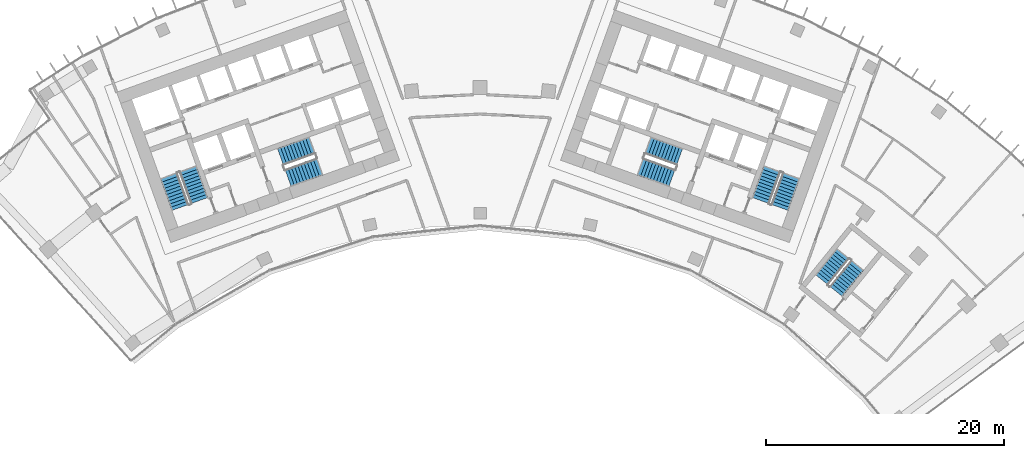
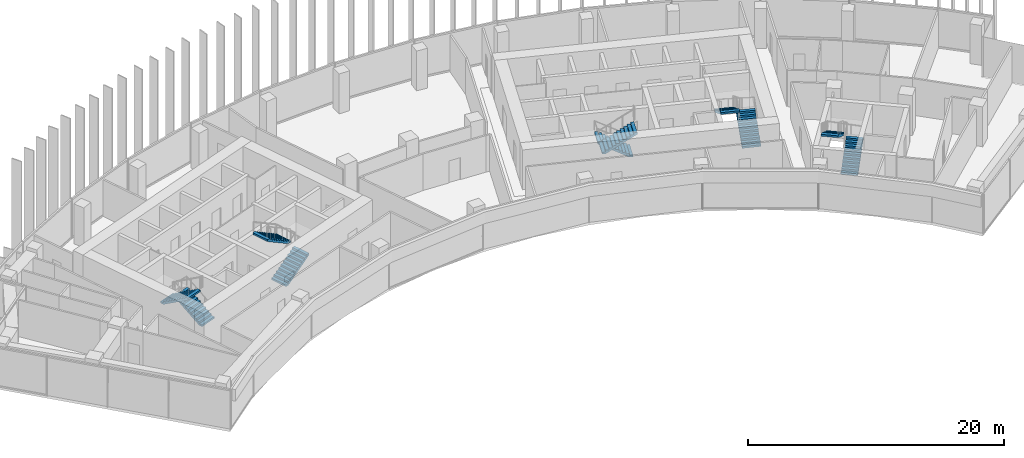
# One storey, part 18 of 19: 10 stair flights, 5 elements without a shape of their own.
"""IFC4 building model written with IfcOpenShell, lengths in metres."""

from ifc_helpers import new_model, si_unit, direction, frame, origin, place, context, subcontext, project, spatial, polyline, outline, extrude, material, type_object, element, aggregate, save


model = new_model("IFC4")

# Units and contexts
model_context = context("Model", 3, precision=1e-05, world=origin(), true_north=direction((0.0, 1.0)))
body_context = subcontext(model_context, "Body", "Model", "MODEL_VIEW")
ifc_project = project(units=[si_unit("LENGTHUNIT", "METRE"), si_unit("AREAUNIT", "SQUARE_METRE"), si_unit("VOLUMEUNIT", "CUBIC_METRE"), si_unit("PLANEANGLEUNIT", "RADIAN"), si_unit("MASSUNIT", "GRAM", prefix="KILO")], contexts=[model_context])

# Site, building, storey
site_placement = place(None, origin())
site = spatial("IfcSite", under=ifc_project, at=site_placement, CompositionType="ELEMENT")
building_placement = place(site_placement, origin())
building = spatial("IfcBuilding", under=site, at=building_placement, Name="Stone Belt Terrace Tower", CompositionType="ELEMENT")
storey_placement = place(building_placement, frame((0.0, 0.0, 235.199951171875)))
storey = spatial("IfcBuildingStorey", under=building, at=storey_placement, Name="L57", CompositionType="ELEMENT", Elevation=235.199951171875)

# Stair, stair flights
ifc_material = material(Name="Concrete B40", Category="concrete")
stair_type = type_object("IfcStairType", Name="Exit stair 1500", PredefinedType="HALF_TURN_STAIR", material=ifc_material)
stair_1_placement = place(storey_placement, origin())
stair_1 = element("IfcStair", 1, at=stair_1_placement, inside=storey, type_object=stair_type, Name="L57 Exit stair 1 core A", PredefinedType="HALF_TURN_STAIR")
stair_flight_type = type_object("IfcStairFlightType", Name="Stair flight 1500", PredefinedType="STRAIGHT", material=ifc_material)
stair_flight_1_placement = place(storey_placement, frame((-23.55322265625, 45.51318359375, 0.0), z_axis=(0.0, 0.0, 1.0), x_axis=(-0.338624396177, 0.940921632398, 0.0)))
stair_flight_1 = element("IfcStairFlight", 2, at=stair_flight_1_placement, type_object=stair_flight_type, Name="ST1A flight 1", NumberOfRisers=11, NumberOfTreads=10, PredefinedType="STRAIGHT", RiserHeight=0.172727273, TreadLength=0.28, context=body_context, shape_type="SweptSolid", body=[
    extrude(outline(polyline([(0.0, 0.0), (0.0, 0.172607421875), (0.280029296875, 0.172607421875), (0.280029296875, 0.345458984375), (0.56005859375, 0.345458984375), (0.56005859375, 0.51806640625), (0.840087890625, 0.51806640625), (0.840087890625, 0.69091796875), (1.1201171875, 0.69091796875), (1.1201171875, 0.863525390625), (1.39990234375, 0.863525390625), (1.39990234375, 1.036376953125), (1.679931640625, 1.036376953125), (1.679931640625, 1.208984375), (1.9599609375, 1.208984375), (1.9599609375, 1.3818359375), (2.239990234375, 1.3818359375), (2.239990234375, 1.554443359375), (2.52001953125, 1.554443359375), (2.52001953125, 1.727294921875), (2.800048828125, 1.727294921875), (2.800048828125, 1.89990234375), (2.800048828125, 1.551025390625), (0.285400390625, 0.0), (0.0, 0.0)])), frame((0.0, 0.75, 0.0), z_axis=(0.0, -1.0, 0.0), x_axis=(1.0, 0.0, 0.0)), (0.0, 0.0, 1.0), 1.5),
])
stair_flight_2_placement = place(storey_placement, frame((-26.10107421875, 47.572021484375, 1.900146484375), z_axis=(0.0, 0.0, 1.0), x_axis=(0.338624396177, -0.940921632398, 0.0)))
stair_flight_2 = element("IfcStairFlight", 3, at=stair_flight_2_placement, type_object=stair_flight_type, Name="ST1A flight 2", NumberOfRisers=11, NumberOfTreads=10, PredefinedType="STRAIGHT", RiserHeight=0.172727273, TreadLength=0.28, context=body_context, shape_type="SweptSolid", body=[
    extrude(outline(polyline([(0.0, 0.0), (0.0, 0.172607421875), (0.280029296875, 0.172607421875), (0.280029296875, 0.345458984375), (0.56005859375, 0.345458984375), (0.56005859375, 0.51806640625), (0.840087890625, 0.51806640625), (0.840087890625, 0.69091796875), (1.1201171875, 0.69091796875), (1.1201171875, 0.863525390625), (1.39990234375, 0.863525390625), (1.39990234375, 1.036376953125), (1.679931640625, 1.036376953125), (1.679931640625, 1.208984375), (1.9599609375, 1.208984375), (1.9599609375, 1.3818359375), (2.239990234375, 1.3818359375), (2.239990234375, 1.554443359375), (2.52001953125, 1.554443359375), (2.52001953125, 1.727294921875), (2.800048828125, 1.727294921875), (2.800048828125, 1.89990234375), (2.800048828125, 1.551025390625), (0.285400390625, 0.0), (0.0, 0.0)])), frame((0.0, 0.75, 0.0), z_axis=(0.0, -1.0, 0.0), x_axis=(1.0, 0.0, 0.0)), (0.0, 0.0, 1.0), 1.5),
])
aggregate(stair_1, [stair_flight_1, stair_flight_2])

stair_2_placement = place(storey_placement, origin())
stair_2 = element("IfcStair", 4, at=stair_2_placement, inside=storey, type_object=stair_type, Name="L57 Exit stair 2 core A", PredefinedType="HALF_TURN_STAIR")
stair_flight_3_placement = place(storey_placement, frame((-16.101318359375, 47.39794921875, 0.0), z_axis=(0.0, 0.0, 1.0), x_axis=(0.940921632398, 0.338624396177, 0.0)))
stair_flight_3 = element("IfcStairFlight", 5, at=stair_flight_3_placement, type_object=stair_flight_type, Name="ST2A flight 1", NumberOfRisers=11, NumberOfTreads=10, PredefinedType="STRAIGHT", RiserHeight=0.172727273, TreadLength=0.28, context=body_context, shape_type="SweptSolid", body=[
    extrude(outline(polyline([(0.0, 0.0), (0.0, 0.172607421875), (0.280029296875, 0.172607421875), (0.280029296875, 0.345458984375), (0.56005859375, 0.345458984375), (0.56005859375, 0.51806640625), (0.840087890625, 0.51806640625), (0.840087890625, 0.69091796875), (1.1201171875, 0.69091796875), (1.1201171875, 0.863525390625), (1.39990234375, 0.863525390625), (1.39990234375, 1.036376953125), (1.679931640625, 1.036376953125), (1.679931640625, 1.208984375), (1.9599609375, 1.208984375), (1.9599609375, 1.3818359375), (2.239990234375, 1.3818359375), (2.239990234375, 1.554443359375), (2.52001953125, 1.554443359375), (2.52001953125, 1.727294921875), (2.800048828125, 1.727294921875), (2.800048828125, 1.89990234375), (2.800048828125, 1.551025390625), (0.285400390625, 0.0), (0.0, 0.0)])), frame((0.0, 0.75, 0.0), z_axis=(0.0, -1.0, 0.0), x_axis=(1.0, 0.0, 0.0)), (0.0, 0.0, 1.0), 1.5),
])
stair_flight_4_placement = place(storey_placement, frame((-14.110107421875, 50.1337890625, 1.900146484375), z_axis=(0.0, 0.0, 1.0), x_axis=(-0.940921632398, -0.338624396177, 0.0)))
stair_flight_4 = element("IfcStairFlight", 6, at=stair_flight_4_placement, type_object=stair_flight_type, Name="ST2A flight 2", NumberOfRisers=11, NumberOfTreads=10, PredefinedType="STRAIGHT", RiserHeight=0.172727273, TreadLength=0.28, context=body_context, shape_type="SweptSolid", body=[
    extrude(outline(polyline([(0.0, 0.0), (0.0, 0.172607421875), (0.280029296875, 0.172607421875), (0.280029296875, 0.345458984375), (0.56005859375, 0.345458984375), (0.56005859375, 0.51806640625), (0.840087890625, 0.51806640625), (0.840087890625, 0.69091796875), (1.1201171875, 0.69091796875), (1.1201171875, 0.863525390625), (1.39990234375, 0.863525390625), (1.39990234375, 1.036376953125), (1.679931640625, 1.036376953125), (1.679931640625, 1.208984375), (1.9599609375, 1.208984375), (1.9599609375, 1.3818359375), (2.239990234375, 1.3818359375), (2.239990234375, 1.554443359375), (2.52001953125, 1.554443359375), (2.52001953125, 1.727294921875), (2.800048828125, 1.727294921875), (2.800048828125, 1.89990234375), (2.800048828125, 1.551025390625), (0.285400390625, 0.0), (0.0, 0.0)])), frame((0.0, 0.75, 0.0), z_axis=(0.0, -1.0, 0.0), x_axis=(1.0, 0.0, 0.0)), (0.0, 0.0, 1.0), 1.5),
])
aggregate(stair_2, [stair_flight_3, stair_flight_4])

stair_3_placement = place(storey_placement, origin())
stair_3 = element("IfcStair", 7, at=stair_3_placement, inside=storey, type_object=stair_type, Name="L57 Exit stair 1 core B", PredefinedType="HALF_TURN_STAIR")
stair_flight_5_placement = place(storey_placement, frame((25.15283203125, 44.9375, 0.0), z_axis=(0.0, 0.0, 1.0), x_axis=(0.338624396177, 0.940921632398, 0.0)))
stair_flight_5 = element("IfcStairFlight", 8, at=stair_flight_5_placement, type_object=stair_flight_type, Name="ST1B flight 1", NumberOfRisers=11, NumberOfTreads=10, PredefinedType="STRAIGHT", RiserHeight=0.172727273, TreadLength=0.28, context=body_context, shape_type="SweptSolid", body=[
    extrude(outline(polyline([(0.0, 0.0), (0.0, 0.172607421875), (0.280029296875, 0.172607421875), (0.280029296875, 0.345458984375), (0.56005859375, 0.345458984375), (0.56005859375, 0.51806640625), (0.840087890625, 0.51806640625), (0.840087890625, 0.69091796875), (1.1201171875, 0.69091796875), (1.1201171875, 0.863525390625), (1.39990234375, 0.863525390625), (1.39990234375, 1.036376953125), (1.679931640625, 1.036376953125), (1.679931640625, 1.208984375), (1.9599609375, 1.208984375), (1.9599609375, 1.3818359375), (2.239990234375, 1.3818359375), (2.239990234375, 1.554443359375), (2.52001953125, 1.554443359375), (2.52001953125, 1.727294921875), (2.800048828125, 1.727294921875), (2.800048828125, 1.89990234375), (2.800048828125, 1.551025390625), (0.285400390625, 0.0), (0.0, 0.0)])), frame((0.0, 0.75, 0.0), z_axis=(0.0, -1.0, 0.0), x_axis=(1.0, 0.0, 0.0)), (0.0, 0.0, 1.0), 1.5),
])
stair_flight_6_placement = place(storey_placement, frame((24.50146484375, 48.147705078125, 1.900146484375), z_axis=(0.0, 0.0, 1.0), x_axis=(-0.338624396177, -0.940921632398, 0.0)))
stair_flight_6 = element("IfcStairFlight", 9, at=stair_flight_6_placement, type_object=stair_flight_type, Name="ST1B flight 2", NumberOfRisers=11, NumberOfTreads=10, PredefinedType="STRAIGHT", RiserHeight=0.172727273, TreadLength=0.28, context=body_context, shape_type="SweptSolid", body=[
    extrude(outline(polyline([(0.0, 0.0), (0.0, 0.172607421875), (0.280029296875, 0.172607421875), (0.280029296875, 0.345458984375), (0.56005859375, 0.345458984375), (0.56005859375, 0.51806640625), (0.840087890625, 0.51806640625), (0.840087890625, 0.69091796875), (1.1201171875, 0.69091796875), (1.1201171875, 0.863525390625), (1.39990234375, 0.863525390625), (1.39990234375, 1.036376953125), (1.679931640625, 1.036376953125), (1.679931640625, 1.208984375), (1.9599609375, 1.208984375), (1.9599609375, 1.3818359375), (2.239990234375, 1.3818359375), (2.239990234375, 1.554443359375), (2.52001953125, 1.554443359375), (2.52001953125, 1.727294921875), (2.800048828125, 1.727294921875), (2.800048828125, 1.89990234375), (2.800048828125, 1.551025390625), (0.285400390625, 0.0), (0.0, 0.0)])), frame((0.0, 0.75, 0.0), z_axis=(0.0, -1.0, 0.0), x_axis=(1.0, 0.0, 0.0)), (0.0, 0.0, 1.0), 1.5),
])
aggregate(stair_3, [stair_flight_5, stair_flight_6])

stair_4_placement = place(storey_placement, origin())
stair_4 = element("IfcStair", 10, at=stair_4_placement, inside=storey, type_object=stair_type, Name="L57 Exit stair 2 core B", PredefinedType="HALF_TURN_STAIR")
stair_flight_7_placement = place(storey_placement, frame((16.74462890625, 49.185546875, 0.0), z_axis=(0.0, 0.0, 1.0), x_axis=(-0.940921632398, 0.338624396177, 0.0)))
stair_flight_7 = element("IfcStairFlight", 11, at=stair_flight_7_placement, type_object=stair_flight_type, Name="ST2B flight 1", NumberOfRisers=11, NumberOfTreads=10, PredefinedType="STRAIGHT", RiserHeight=0.172727273, TreadLength=0.28, context=body_context, shape_type="SweptSolid", body=[
    extrude(outline(polyline([(0.0, 0.0), (0.0, 0.172607421875), (0.280029296875, 0.172607421875), (0.280029296875, 0.345458984375), (0.56005859375, 0.345458984375), (0.56005859375, 0.51806640625), (0.840087890625, 0.51806640625), (0.840087890625, 0.69091796875), (1.1201171875, 0.69091796875), (1.1201171875, 0.863525390625), (1.39990234375, 0.863525390625), (1.39990234375, 1.036376953125), (1.679931640625, 1.036376953125), (1.679931640625, 1.208984375), (1.9599609375, 1.208984375), (1.9599609375, 1.3818359375), (2.239990234375, 1.3818359375), (2.239990234375, 1.554443359375), (2.52001953125, 1.554443359375), (2.52001953125, 1.727294921875), (2.800048828125, 1.727294921875), (2.800048828125, 1.89990234375), (2.800048828125, 1.551025390625), (0.285400390625, 0.0), (0.0, 0.0)])), frame((0.0, 0.75, 0.0), z_axis=(0.0, -1.0, 0.0), x_axis=(1.0, 0.0, 0.0)), (0.0, 0.0, 1.0), 1.5),
])
stair_flight_8_placement = place(storey_placement, frame((13.466796875, 48.345947265625, 1.900146484375), z_axis=(0.0, 0.0, 1.0), x_axis=(0.940921632398, -0.338624396177, 0.0)))
stair_flight_8 = element("IfcStairFlight", 12, at=stair_flight_8_placement, type_object=stair_flight_type, Name="ST2B flight 2", NumberOfRisers=11, NumberOfTreads=10, PredefinedType="STRAIGHT", RiserHeight=0.172727273, TreadLength=0.28, context=body_context, shape_type="SweptSolid", body=[
    extrude(outline(polyline([(0.0, 0.0), (0.0, 0.172607421875), (0.280029296875, 0.172607421875), (0.280029296875, 0.345458984375), (0.56005859375, 0.345458984375), (0.56005859375, 0.51806640625), (0.840087890625, 0.51806640625), (0.840087890625, 0.69091796875), (1.1201171875, 0.69091796875), (1.1201171875, 0.863525390625), (1.39990234375, 0.863525390625), (1.39990234375, 1.036376953125), (1.679931640625, 1.036376953125), (1.679931640625, 1.208984375), (1.9599609375, 1.208984375), (1.9599609375, 1.3818359375), (2.239990234375, 1.3818359375), (2.239990234375, 1.554443359375), (2.52001953125, 1.554443359375), (2.52001953125, 1.727294921875), (2.800048828125, 1.727294921875), (2.800048828125, 1.89990234375), (2.800048828125, 1.551025390625), (0.285400390625, 0.0), (0.0, 0.0)])), frame((0.0, 0.75, 0.0), z_axis=(0.0, -1.0, 0.0), x_axis=(1.0, 0.0, 0.0)), (0.0, 0.0, 1.0), 1.5),
])
aggregate(stair_4, [stair_flight_7, stair_flight_8])

stair_5_placement = place(storey_placement, origin())
stair_5 = element("IfcStair", 13, at=stair_5_placement, inside=storey, type_object=stair_type, Name="L57 Exit stair 3B", PredefinedType="HALF_TURN_STAIR")
stair_flight_9_placement = place(storey_placement, frame((29.88330078125, 37.887939453125, 0.0), z_axis=(0.0, 0.0, 1.0), x_axis=(0.630205749599, 0.776428176441, 0.0)))
stair_flight_9 = element("IfcStairFlight", 14, at=stair_flight_9_placement, type_object=stair_flight_type, Name="ST3B flight 1", NumberOfRisers=11, NumberOfTreads=10, PredefinedType="STRAIGHT", RiserHeight=0.172727273, TreadLength=0.28, context=body_context, shape_type="SweptSolid", body=[
    extrude(outline(polyline([(0.0, 0.0), (0.0, 0.172607421875), (0.280029296875, 0.172607421875), (0.280029296875, 0.345458984375), (0.56005859375, 0.345458984375), (0.56005859375, 0.51806640625), (0.840087890625, 0.51806640625), (0.840087890625, 0.69091796875), (1.1201171875, 0.69091796875), (1.1201171875, 0.863525390625), (1.39990234375, 0.863525390625), (1.39990234375, 1.036376953125), (1.679931640625, 1.036376953125), (1.679931640625, 1.208984375), (1.9599609375, 1.208984375), (1.9599609375, 1.3818359375), (2.239990234375, 1.3818359375), (2.239990234375, 1.554443359375), (2.52001953125, 1.554443359375), (2.52001953125, 1.727294921875), (2.800048828125, 1.727294921875), (2.800048828125, 1.89990234375), (2.800048828125, 1.551025390625), (0.285400390625, 0.0), (0.0, 0.0)])), frame((0.0, 0.675048828125, 0.0), z_axis=(0.0, -1.0, 0.0), x_axis=(1.0, 0.0, 0.0)), (0.0, 0.0, 1.0), 1.35009765625),
])
stair_flight_10_placement = place(storey_placement, frame((30.4443359375, 41.038818359375, 1.900146484375), z_axis=(0.0, 0.0, 1.0), x_axis=(-0.630205749599, -0.776428176441, 0.0)))
stair_flight_10 = element("IfcStairFlight", 15, at=stair_flight_10_placement, type_object=stair_flight_type, Name="ST3B flight 2", NumberOfRisers=11, NumberOfTreads=10, PredefinedType="STRAIGHT", RiserHeight=0.172727273, TreadLength=0.28, context=body_context, shape_type="SweptSolid", body=[
    extrude(outline(polyline([(0.0, 0.0), (0.0, 0.172607421875), (0.280029296875, 0.172607421875), (0.280029296875, 0.345458984375), (0.56005859375, 0.345458984375), (0.56005859375, 0.51806640625), (0.840087890625, 0.51806640625), (0.840087890625, 0.69091796875), (1.1201171875, 0.69091796875), (1.1201171875, 0.863525390625), (1.39990234375, 0.863525390625), (1.39990234375, 1.036376953125), (1.679931640625, 1.036376953125), (1.679931640625, 1.208984375), (1.9599609375, 1.208984375), (1.9599609375, 1.3818359375), (2.239990234375, 1.3818359375), (2.239990234375, 1.554443359375), (2.52001953125, 1.554443359375), (2.52001953125, 1.727294921875), (2.800048828125, 1.727294921875), (2.800048828125, 1.89990234375), (2.800048828125, 1.551025390625), (0.285400390625, 0.0), (0.0, 0.0)])), frame((0.0, 0.675048828125, 0.0), z_axis=(0.0, -1.0, 0.0), x_axis=(1.0, 0.0, 0.0)), (0.0, 0.0, 1.0), 1.35009765625),
])
aggregate(stair_5, [stair_flight_9, stair_flight_10])

save(model, "model.ifc")
